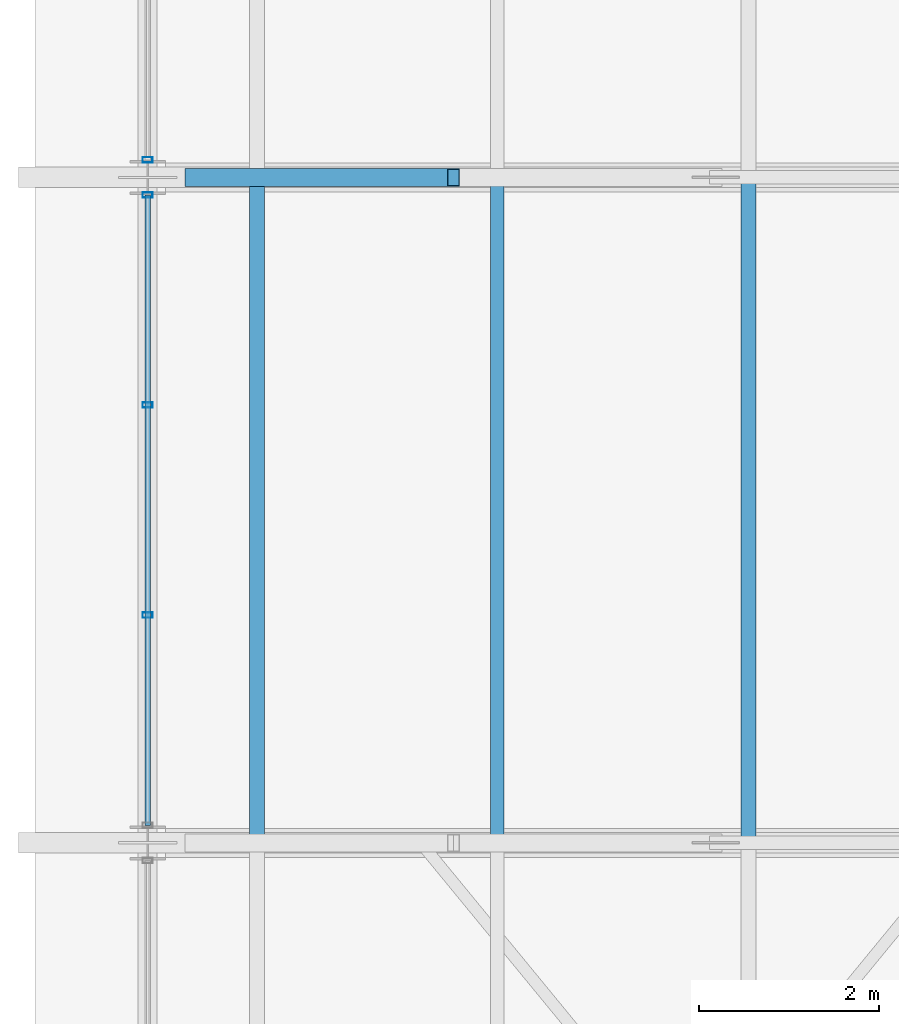
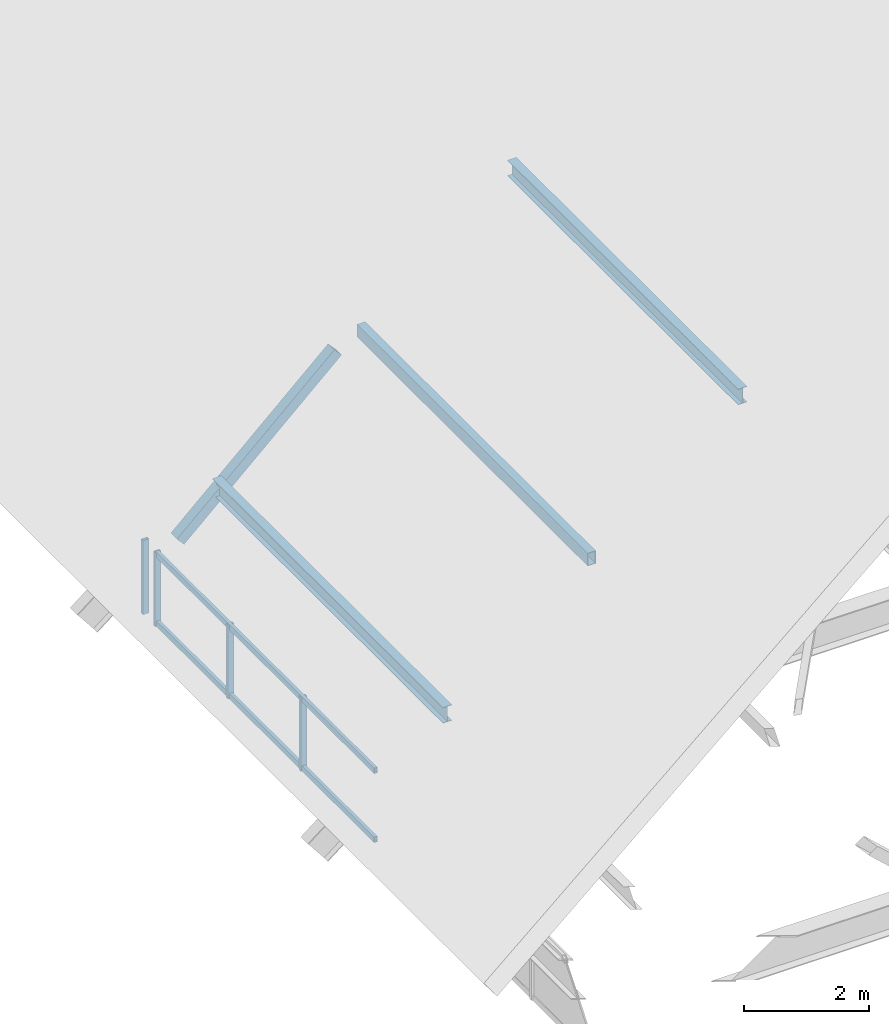
# One storey, part 23 of 44: 10 members, 2 elements without a shape of their own.
"""IFC4 building model written with IfcOpenShell, lengths in metres."""

from ifc_helpers import new_model, si_unit, direction, frame, origin, origin_2d, place, context, subcontext, project, spatial, hollow_rectangle, i_section, extrude, material, material_profile, profile_set, type_object, element, aggregate, save


model = new_model("IFC4")

# Units and contexts
model_context = context("Model", 3, precision=1e-05, world=origin(), true_north=direction((0.0, 1.0)))
body_context = subcontext(model_context, "Body", "Model", "MODEL_VIEW")
ifc_project = project(units=[si_unit("LENGTHUNIT", "METRE"), si_unit("AREAUNIT", "SQUARE_METRE"), si_unit("VOLUMEUNIT", "CUBIC_METRE"), si_unit("PLANEANGLEUNIT", "RADIAN"), si_unit("MASSUNIT", "GRAM", prefix="KILO")], contexts=[model_context])

# Site, building, storey
site_placement = place(None, origin())
site = spatial("IfcSite", under=ifc_project, at=site_placement, CompositionType="ELEMENT")
building_placement = place(site_placement, origin())
building = spatial("IfcBuilding", under=site, at=building_placement, Name="Cimatlan Art Gallery", CompositionType="ELEMENT")
storey_placement = place(building_placement, frame((0.0, 0.0, 26.39990234375)))
storey = spatial("IfcBuildingStorey", under=building, at=storey_placement, Name="Roof", CompositionType="ELEMENT", Elevation=26.39990234375)

# Curtain wall, members
ifc_material_1 = material(Name="Anodised bronze unitised curtain wall")
curtain_wall_type = type_object("IfcCurtainWallType", Name="CW-V-07010X01450-B3", PredefinedType="NOTDEFINED", material=ifc_material_1)
curtain_wall_1_placement = place(storey_placement, origin())
curtain_wall_1 = element("IfcCurtainWall", 1, at=curtain_wall_1_placement, inside=storey, type_object=curtain_wall_type, Name="CW-CRW-W-07", PredefinedType="NOTDEFINED")
ifc_material_2 = material(Name="Anodised bronze aluminium 6063-T6", Category="aluminium")
ifc_material_profile_1 = material_profile(ifc_material_2, hollow_rectangle(XDim=0.06005859375, YDim=0.110107421875, WallThickness=0.00341796875, at=origin_2d()), Name="ALU60X110X3")
ifc_profile_set_1 = profile_set([ifc_material_profile_1], Name="Anodised bronze aluminium 6063-T6")
member_type_1 = type_object("IfcMemberType", Name="CW-MUL-110", PredefinedType="MULLION", material=ifc_profile_set_1)
member_1_placement = place(storey_placement, frame((74.89990234375, 56.03173828125, 0.0), z_axis=(0.0, 0.0, 1.0), x_axis=(0.0, 1.0, 0.0)))
member_1 = element("IfcMember", 2, at=member_1_placement, type_object=member_type_1, Name="CW-CRW-W-07-M2", PredefinedType="MULLION", context=body_context, shape_type="SweptSolid", body=[
    extrude(hollow_rectangle(XDim=0.06005859375, YDim=0.110107421875, WallThickness=0.00341796875, at=origin_2d()), origin(), (0.0, 0.0, 1.0), 1.4501953125),
])
member_2_placement = place(storey_placement, frame((74.89990234375, 58.368408203125, 0.0), z_axis=(0.0, 0.0, 1.0), x_axis=(0.0, 1.0, 0.0)))
member_2 = element("IfcMember", 3, at=member_2_placement, type_object=member_type_1, Name="CW-CRW-W-07-M3", PredefinedType="MULLION", context=body_context, shape_type="SweptSolid", body=[
    extrude(hollow_rectangle(XDim=0.06005859375, YDim=0.110107421875, WallThickness=0.00341796875, at=origin_2d()), origin(), (0.0, 0.0, 1.0), 1.4501953125),
])
member_3_placement = place(storey_placement, frame((74.89990234375, 60.705078125, 0.0), z_axis=(0.0, 0.0, 1.0), x_axis=(0.0, 1.0, 0.0)))
member_3 = element("IfcMember", 4, at=member_3_placement, type_object=member_type_1, Name="CW-CRW-W-07-M4", PredefinedType="MULLION", context=body_context, shape_type="SweptSolid", body=[
    extrude(hollow_rectangle(XDim=0.06005859375, YDim=0.110107421875, WallThickness=0.00341796875, at=origin_2d()), origin(), (0.0, 0.0, 1.0), 1.4501953125),
])

# Curtain wall, member
curtain_wall_2_placement = place(storey_placement, origin())
curtain_wall_2 = element("IfcCurtainWall", 5, at=curtain_wall_2_placement, inside=storey, type_object=curtain_wall_type, Name="CW-CRW-W-08", PredefinedType="NOTDEFINED")
member_4_placement = place(storey_placement, frame((74.89990234375, 61.094970703125, 0.0), z_axis=(0.0, 0.0, 1.0), x_axis=(0.0, 1.0, 0.0)))
member_4 = element("IfcMember", 6, at=member_4_placement, type_object=member_type_1, Name="CW-CRW-W-08-M1", PredefinedType="MULLION", context=body_context, shape_type="SweptSolid", body=[
    extrude(hollow_rectangle(XDim=0.06005859375, YDim=0.110107421875, WallThickness=0.00341796875, at=origin_2d()), origin(), (0.0, 0.0, 1.0), 1.4501953125),
])
aggregate(curtain_wall_2, [member_4])

# Member
ifc_material_profile_2 = material_profile(ifc_material_2, hollow_rectangle(XDim=0.06005859375, YDim=0.110107421875, WallThickness=0.00341796875, at=origin_2d()), Name="ALU60X110X3")
ifc_profile_set_2 = profile_set([ifc_material_profile_2], Name="Anodised bronze aluminium 6063-T6")
member_type_2 = type_object("IfcMemberType", Name="CW-TRN-110", PredefinedType="USERDEFINED", material=ifc_profile_set_2)
member_5_placement = place(storey_placement, frame((74.89990234375, 53.695068359375, 0.050048828125), z_axis=(0.0, 1.0, 0.0), x_axis=(-1.0, 0.0, 0.0)))
member_5 = element("IfcMember", 7, at=member_5_placement, type_object=member_type_2, Name="CW-CRW-W-07-T1", ObjectType="TRANSOM", PredefinedType="USERDEFINED", context=body_context, shape_type="SweptSolid", body=[
    extrude(hollow_rectangle(XDim=0.06005859375, YDim=0.110107421875, WallThickness=0.00341796875, at=origin_2d()), origin(), (0.0, 0.0, 1.0), 7.010009765625),
])

member_6_placement = place(storey_placement, frame((74.89990234375, 53.695068359375, 1.400146484375), z_axis=(0.0, 1.0, 0.0), x_axis=(-1.0, 0.0, 0.0)))
member_6 = element("IfcMember", 8, at=member_6_placement, type_object=member_type_2, Name="CW-CRW-W-07-T2", ObjectType="TRANSOM", PredefinedType="USERDEFINED", context=body_context, shape_type="SweptSolid", body=[
    extrude(hollow_rectangle(XDim=0.06005859375, YDim=0.110107421875, WallThickness=0.00341796875, at=origin_2d()), origin(), (0.0, 0.0, 1.0), 7.010009765625),
])

aggregate(curtain_wall_1, [member_1, member_2, member_3, member_5, member_6])

# Members
ifc_material_3 = material(Name="Steel ASTM A500 Grade C", Category="steel")
ifc_material_profile_3 = material_profile(ifc_material_3, hollow_rectangle(XDim=0.14990234375, YDim=0.25, WallThickness=0.010009765625, at=origin_2d()), Name="HSS250X150X10")
ifc_profile_set_3 = profile_set([ifc_material_profile_3], Name="Steel ASTM A500 Grade C")
member_type_3 = type_object("IfcMemberType", Name="MBR-PUR-C250", PredefinedType="PURLIN", material=ifc_profile_set_3)
member_7_placement = place(storey_placement, frame((78.7880859375, 53.5, 4.31201171875), z_axis=(0.0, 1.0, 0.0), x_axis=(-1.0, 0.0, 0.0)))
element("IfcMember", 9, at=member_7_placement, inside=storey, type_object=member_type_3, Name="PUR-V1-B5-W3", PredefinedType="PURLIN", context=body_context, shape_type="SweptSolid", body=[
    extrude(hollow_rectangle(XDim=0.14990234375, YDim=0.25, WallThickness=0.010009765625, at=origin_2d()), origin(), (0.0, 0.0, 1.0), 7.39990234375),
])
ifc_material_4 = material(Name="Steel ASTM A992 Grade 50", Category="steel")
ifc_material_profile_4 = material_profile(ifc_material_4, i_section(OverallWidth=0.1650390625, OverallDepth=0.31005859375, WebThickness=0.005859375, FlangeThickness=0.009765625, at=origin_2d()), Name="W12X26")
ifc_profile_set_4 = profile_set([ifc_material_profile_4], Name="Steel ASTM A992 Grade 50")
member_type_4 = type_object("IfcMemberType", Name="MBR-PUR-W12", PredefinedType="PURLIN", material=ifc_profile_set_4)
for number, where, z_axis, x_axis, name in (
    (10, (81.58251953125, 53.5, 6.52001953125), (0.0, 1.0, 0.0), (-1.0, 0.0, 0.0), "PUR-V1-B5-W2"),
    (11, (76.114990234375, 53.5, 2.2001953125), (0.0, 1.0, 0.0), (-1.0, 0.0, 0.0), "PUR-V1-B5-W4"),
):
    element("IfcMember", number, at=place(storey_placement, frame(where, z_axis=z_axis, x_axis=x_axis)), inside=storey, type_object=member_type_4, Name=name, PredefinedType="PURLIN", context=body_context, shape_type="SweptSolid", body=[
        extrude(i_section(OverallWidth=0.1650390625, OverallDepth=0.31005859375, WebThickness=0.005859375, FlangeThickness=0.009765625, at=origin_2d()), origin(), (0.0, 0.0, 1.0), 7.39990234375),
    ])
ifc_material_profile_5 = material_profile(ifc_material_3, hollow_rectangle(XDim=0.199951171875, YDim=0.199951171875, WallThickness=0.010009765625, at=origin_2d()), Name="HSS200X200X10")
ifc_profile_set_5 = profile_set([ifc_material_profile_5], Name="Steel ASTM A500 Grade C")
member_type_5 = type_object("IfcMemberType", Name="MBR-TRS-DIAG-1", PredefinedType="BRACE", material=ifc_profile_set_5)
member_8_placement = place(storey_placement, frame((75.385986328125, 60.89990234375, 1.400146484375), z_axis=(0.735270574228, 0.0, 0.677773695768), x_axis=(0.0, 1.0, 0.0)))
element("IfcMember", 12, at=member_8_placement, inside=storey, type_object=member_type_5, Name="TRS-06-DW-1", PredefinedType="BRACE", context=body_context, shape_type="SweptSolid", body=[
    extrude(hollow_rectangle(XDim=0.199951171875, YDim=0.199951171875, WallThickness=0.010009765625, at=origin_2d()), origin(), (0.0, 0.0, 1.0), 3.9658203125),
])

save(model, "model.ifc")
